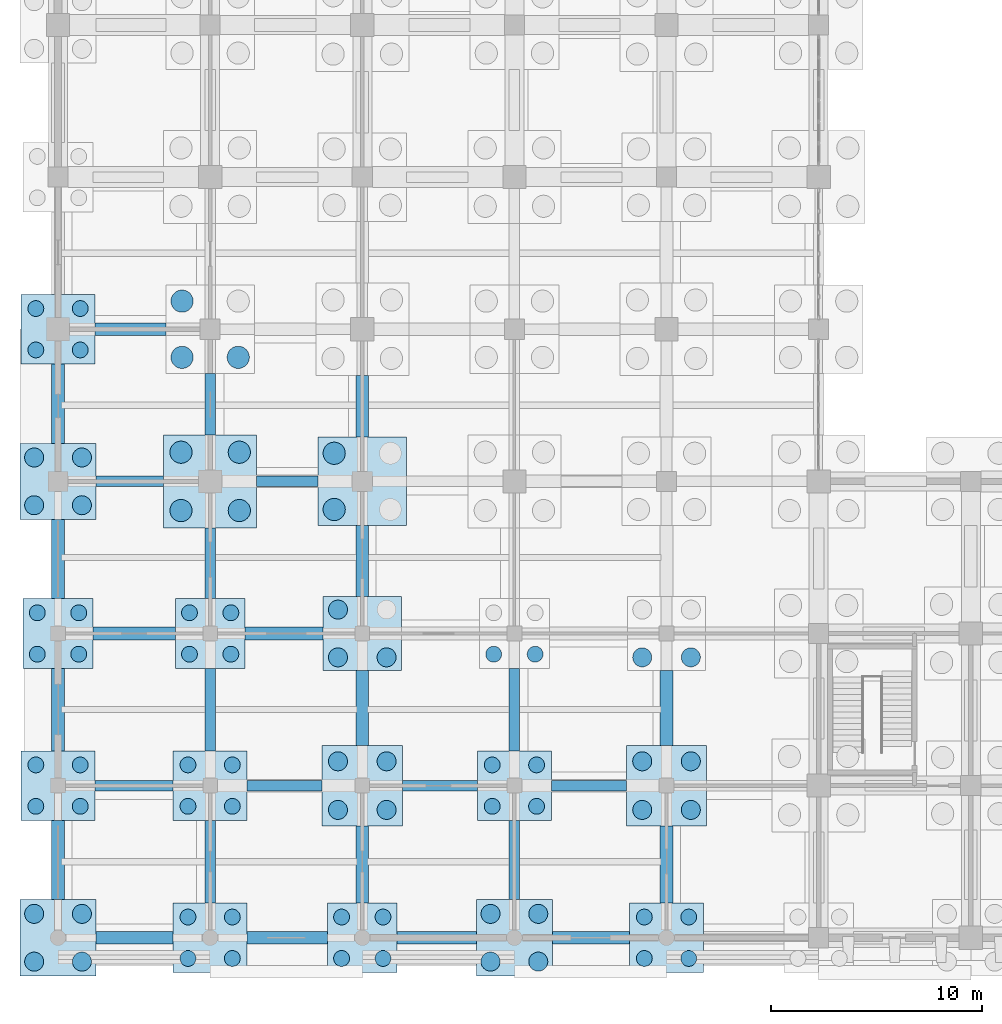
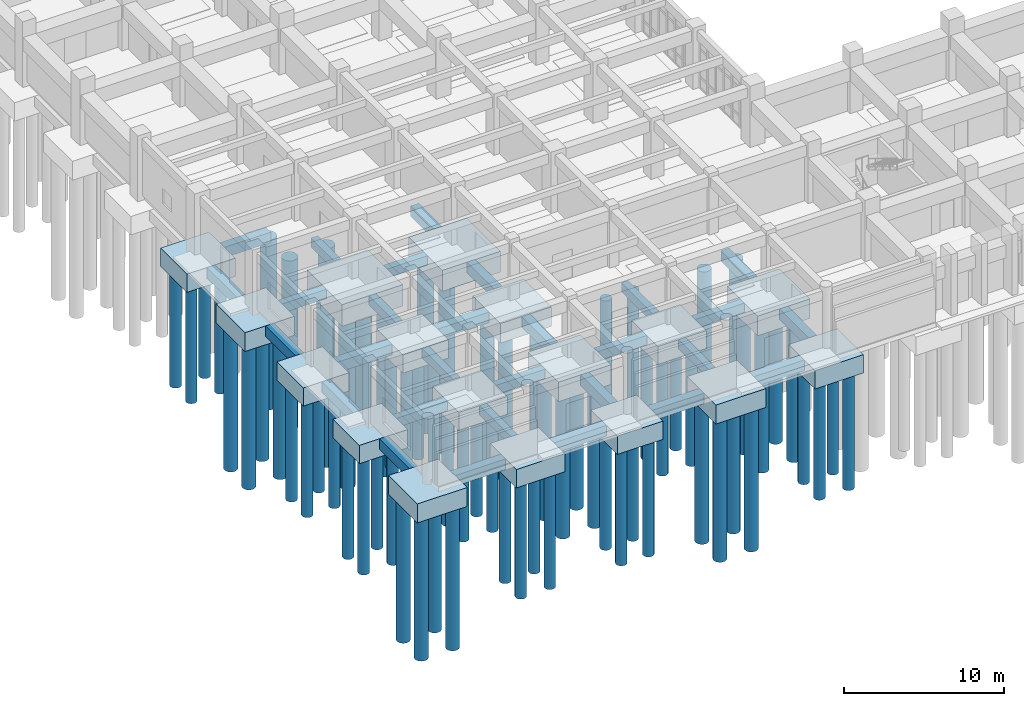
# One storey, part 1 of 79: 72 piles, 46 footings.
"""IFC4 building model written with IfcOpenShell, lengths in metres."""

from ifc_helpers import new_model, si_unit, direction, frame, origin, origin_2d, place, context, subcontext, project, spatial, polyline, rectangle, circle, outline, extrude, material, material_profile, profile_set, type_object, element, save


model = new_model("IFC4")

# Units and contexts
model_context = context("Model", 3, precision=1e-05, world=origin(), true_north=direction((0.0, 1.0)))
body_context = subcontext(model_context, "Body", "Model", "MODEL_VIEW")
ifc_project = project(units=[si_unit("LENGTHUNIT", "METRE"), si_unit("AREAUNIT", "SQUARE_METRE"), si_unit("VOLUMEUNIT", "CUBIC_METRE"), si_unit("PLANEANGLEUNIT", "RADIAN"), si_unit("MASSUNIT", "GRAM", prefix="KILO")], contexts=[model_context])

# Site, building, storey
site_placement = place(None, origin())
site = spatial("IfcSite", under=ifc_project, at=site_placement, CompositionType="ELEMENT")
building_placement = place(site_placement, origin())
building = spatial("IfcBuilding", under=site, at=building_placement, Name="Kavelor Marine Aquarium", CompositionType="ELEMENT")
storey_placement = place(building_placement, origin())
storey = spatial("IfcBuildingStorey", under=building, at=storey_placement, Name="L00", CompositionType="ELEMENT", Elevation=0.0)

# Footings
ifc_material_1 = material(Name="Concrete C40/50", Category="concrete")
footing_type_1 = type_object("IfcFootingType", Name="CAP-PC01", PredefinedType="PILE_CAP", material=ifc_material_1)
footing_1_placement = place(storey_placement, frame((0.0, 0.0, -2.0)))
element("IfcFooting", 1, at=footing_1_placement, inside=storey, type_object=footing_type_1, Name="Pile Cap PC01 (2-D)", PredefinedType="PILE_CAP", context=body_context, shape_type="SweptSolid", body=[
    extrude(outline(polyline([(8.199951171875, 22.199951171875), (12.60009765625, 22.199951171875), (12.60009765625, 26.60009765625), (8.199951171875, 26.60009765625), (8.199951171875, 22.199951171875)])), origin(), (0.0, 0.0, 1.0), 1.64990234375),
])
ifc_material_2 = material(Name="Concrete C40/50", Category="concrete")
footing_type_2 = type_object("IfcFootingType", Name="CAP-PC02", PredefinedType="PILE_CAP", material=ifc_material_2)
footing_2_placement = place(storey_placement, frame((0.0, 0.0, -1.949951171875)))
element("IfcFooting", 2, at=footing_2_placement, inside=storey, type_object=footing_type_2, Name="Pile Cap PC02 (3-D)", PredefinedType="PILE_CAP", context=body_context, shape_type="SweptSolid", body=[
    extrude(outline(polyline([(15.5, 22.300048828125), (19.699951171875, 22.300048828125), (19.699951171875, 26.5), (15.5, 26.5), (15.5, 22.300048828125)])), origin(), (0.0, 0.0, 1.0), 1.599853515625),
])
ifc_material_3 = material(Name="Concrete C40/50", Category="concrete")
footing_type_3 = type_object("IfcFootingType", Name="CAP-PC04", PredefinedType="PILE_CAP", material=ifc_material_3)
footing_3_placement = place(storey_placement, frame((0.0, 0.0, -1.85009765625)))
element("IfcFooting", 3, at=footing_3_placement, inside=storey, type_object=footing_type_3, Name="Pile Cap PC04 (3-B)", PredefinedType="PILE_CAP", context=body_context, shape_type="SweptSolid", body=[
    extrude(outline(polyline([(15.699951171875, 8.10009765625), (19.5, 8.10009765625), (19.5, 11.89990234375), (15.699951171875, 11.89990234375), (15.699951171875, 8.10009765625)])), origin(), (0.0, 0.0, 1.0), 1.5),
])
footing_4_placement = place(storey_placement, frame((0.0, 0.0, -1.85009765625)))
element("IfcFooting", 4, at=footing_4_placement, inside=storey, type_object=footing_type_3, Name="Pile Cap PC04 (5-B)", PredefinedType="PILE_CAP", context=body_context, shape_type="SweptSolid", body=[
    extrude(outline(polyline([(30.10009765625, 8.10009765625), (33.89990234375, 8.10009765625), (33.89990234375, 11.89990234375), (30.10009765625, 11.89990234375), (30.10009765625, 8.10009765625)])), origin(), (0.0, 0.0, 1.0), 1.5),
])
ifc_material_4 = material(Name="Concrete C40/50", Category="concrete")
footing_type_4 = type_object("IfcFootingType", Name="CAP-PC05", PredefinedType="PILE_CAP", material=ifc_material_4)
footing_5_placement = place(storey_placement, frame((0.0, 0.0, -1.85009765625)))
element("IfcFooting", 5, at=footing_5_placement, inside=storey, type_object=footing_type_4, Name="Pile Cap PC05 (3-C)", PredefinedType="PILE_CAP", context=body_context, shape_type="SweptSolid", body=[
    extrude(outline(polyline([(15.75, 15.449951171875), (19.449951171875, 15.449951171875), (19.449951171875, 18.949951171875), (15.75, 18.949951171875), (15.75, 15.449951171875)])), origin(), (0.0, 0.0, 1.0), 1.5),
])
ifc_material_5 = material(Name="Concrete C40/50", Category="concrete")
footing_type_5 = type_object("IfcFootingType", Name="CAP-PC06", PredefinedType="PILE_CAP", material=ifc_material_5)
footing_6_placement = place(storey_placement, frame((0.0, 0.0, -1.800048828125)))
element("IfcFooting", 6, at=footing_6_placement, inside=storey, type_object=footing_type_5, Name="Pile Cap PC06 (1-A)", PredefinedType="PILE_CAP", context=body_context, shape_type="SweptSolid", body=[
    extrude(outline(polyline([(1.39990234375, 1.0), (5.0, 1.0), (5.0, 4.60009765625), (1.39990234375, 4.60009765625), (1.39990234375, 1.0)])), origin(), (0.0, 0.0, 1.0), 1.449951171875),
])
footing_7_placement = place(storey_placement, frame((0.0, 0.0, -1.800048828125)))
element("IfcFooting", 7, at=footing_7_placement, inside=storey, type_object=footing_type_5, Name="Pile Cap PC06 (1-D)", PredefinedType="PILE_CAP", context=body_context, shape_type="SweptSolid", body=[
    extrude(outline(polyline([(1.39990234375, 22.60009765625), (5.0, 22.60009765625), (5.0, 26.199951171875), (1.39990234375, 26.199951171875), (1.39990234375, 22.60009765625)])), origin(), (0.0, 0.0, 1.0), 1.449951171875),
])
footing_8_placement = place(storey_placement, frame((0.0, 0.0, -1.800048828125)))
element("IfcFooting", 8, at=footing_8_placement, inside=storey, type_object=footing_type_5, Name="Pile Cap PC06 (4-A)", PredefinedType="PILE_CAP", context=body_context, shape_type="SweptSolid", body=[
    extrude(outline(polyline([(23.0, 1.0), (26.60009765625, 1.0), (26.60009765625, 4.60009765625), (23.0, 4.60009765625), (23.0, 1.0)])), origin(), (0.0, 0.0, 1.0), 1.449951171875),
])
ifc_material_6 = material(Name="Concrete C40/50", Category="concrete")
footing_type_6 = type_object("IfcFootingType", Name="CAP-PC07", PredefinedType="PILE_CAP", material=ifc_material_6)
footing_9_placement = place(storey_placement, frame((0.0, 0.0, -1.75)))
element("IfcFooting", 9, at=footing_9_placement, inside=storey, type_object=footing_type_6, Name="Pile Cap PC07 (1-B)", PredefinedType="PILE_CAP", context=body_context, shape_type="SweptSolid", body=[
    extrude(outline(polyline([(1.449951171875, 8.35009765625), (4.949951171875, 8.35009765625), (4.949951171875, 11.64990234375), (1.449951171875, 11.64990234375), (1.449951171875, 8.35009765625)])), origin(), (0.0, 0.0, 1.0), 1.39990234375),
])
footing_10_placement = place(storey_placement, frame((0.0, 0.0, -1.75)))
element("IfcFooting", 10, at=footing_10_placement, inside=storey, type_object=footing_type_6, Name="Pile Cap PC07 (1-E)", PredefinedType="PILE_CAP", context=body_context, shape_type="SweptSolid", body=[
    extrude(outline(polyline([(1.449951171875, 29.949951171875), (4.949951171875, 29.949951171875), (4.949951171875, 33.25), (1.449951171875, 33.25), (1.449951171875, 29.949951171875)])), origin(), (0.0, 0.0, 1.0), 1.39990234375),
])
footing_11_placement = place(storey_placement, frame((0.0, 0.0, -1.75)))
element("IfcFooting", 11, at=footing_11_placement, inside=storey, type_object=footing_type_6, Name="Pile Cap PC07 (2-A)", PredefinedType="PILE_CAP", context=body_context, shape_type="SweptSolid", body=[
    extrude(outline(polyline([(8.64990234375, 1.14990234375), (12.14990234375, 1.14990234375), (12.14990234375, 4.449951171875), (8.64990234375, 4.449951171875), (8.64990234375, 1.14990234375)])), origin(), (0.0, 0.0, 1.0), 1.39990234375),
])
footing_12_placement = place(storey_placement, frame((0.0, 0.0, -1.75)))
element("IfcFooting", 12, at=footing_12_placement, inside=storey, type_object=footing_type_6, Name="Pile Cap PC07 (2-B)", PredefinedType="PILE_CAP", context=body_context, shape_type="SweptSolid", body=[
    extrude(outline(polyline([(8.64990234375, 8.35009765625), (12.14990234375, 8.35009765625), (12.14990234375, 11.64990234375), (8.64990234375, 11.64990234375), (8.64990234375, 8.35009765625)])), origin(), (0.0, 0.0, 1.0), 1.39990234375),
])
footing_13_placement = place(storey_placement, frame((0.0, 0.0, -1.75)))
element("IfcFooting", 13, at=footing_13_placement, inside=storey, type_object=footing_type_6, Name="Pile Cap PC07 (4-B)", PredefinedType="PILE_CAP", context=body_context, shape_type="SweptSolid", body=[
    extrude(outline(polyline([(23.050048828125, 8.35009765625), (26.550048828125, 8.35009765625), (26.550048828125, 11.64990234375), (23.050048828125, 11.64990234375), (23.050048828125, 8.35009765625)])), origin(), (0.0, 0.0, 1.0), 1.39990234375),
])
footing_14_placement = place(storey_placement, frame((0.0, 0.0, -1.75)))
element("IfcFooting", 14, at=footing_14_placement, inside=storey, type_object=footing_type_6, Name="Pile Cap PC07 (5-A)", PredefinedType="PILE_CAP", context=body_context, shape_type="SweptSolid", body=[
    extrude(outline(polyline([(30.25, 1.14990234375), (33.75, 1.14990234375), (33.75, 4.449951171875), (30.25, 4.449951171875), (30.25, 1.14990234375)])), origin(), (0.0, 0.0, 1.0), 1.39990234375),
])
ifc_material_7 = material(Name="Concrete C40/50", Category="concrete")
footing_type_7 = type_object("IfcFootingType", Name="CAP-PC08", PredefinedType="PILE_CAP", material=ifc_material_7)
footing_15_placement = place(storey_placement, frame((0.0, 0.0, -1.75)))
element("IfcFooting", 15, at=footing_15_placement, inside=storey, type_object=footing_type_7, Name="Pile Cap PC08 (1-C)", PredefinedType="PILE_CAP", context=body_context, shape_type="SweptSolid", body=[
    extrude(outline(polyline([(1.550048828125, 15.550048828125), (4.85009765625, 15.550048828125), (4.85009765625, 18.85009765625), (1.550048828125, 18.85009765625), (1.550048828125, 15.550048828125)])), origin(), (0.0, 0.0, 1.0), 1.39990234375),
])
footing_16_placement = place(storey_placement, frame((0.0, 0.0, -1.75)))
element("IfcFooting", 16, at=footing_16_placement, inside=storey, type_object=footing_type_7, Name="Pile Cap PC08 (2-C)", PredefinedType="PILE_CAP", context=body_context, shape_type="SweptSolid", body=[
    extrude(outline(polyline([(8.75, 15.550048828125), (12.050048828125, 15.550048828125), (12.050048828125, 18.85009765625), (8.75, 18.85009765625), (8.75, 15.550048828125)])), origin(), (0.0, 0.0, 1.0), 1.39990234375),
])
footing_17_placement = place(storey_placement, frame((0.0, 0.0, -1.75)))
element("IfcFooting", 17, at=footing_17_placement, inside=storey, type_object=footing_type_7, Name="Pile Cap PC08 (3-A)", PredefinedType="PILE_CAP", context=body_context, shape_type="SweptSolid", body=[
    extrude(outline(polyline([(15.949951171875, 1.14990234375), (19.25, 1.14990234375), (19.25, 4.449951171875), (15.949951171875, 4.449951171875), (15.949951171875, 1.14990234375)])), origin(), (0.0, 0.0, 1.0), 1.39990234375),
])
ifc_material_8 = material(Name="Concrete C40/50", Category="concrete")
ifc_material_profile_1 = material_profile(ifc_material_8, rectangle(XDim=0.60009765625, YDim=0.800048828125, at=origin_2d()), Name="GB 600x800")
ifc_profile_set_1 = profile_set([ifc_material_profile_1], Name="Concrete C40/50")
footing_type_8 = type_object("IfcFootingType", Name="FTB-GB1", PredefinedType="FOOTING_BEAM", material=ifc_profile_set_1)
footing_18_placement = place(storey_placement, frame((5.0, 2.800048828125, -0.75), z_axis=(1.0, 0.0, 0.0), x_axis=(0.0, 1.0, 0.0)))
element("IfcFooting", 18, at=footing_18_placement, inside=storey, type_object=footing_type_8, Name="ftb:x:00_00", PredefinedType="FOOTING_BEAM", context=body_context, shape_type="SweptSolid", body=[
    extrude(rectangle(XDim=0.60009765625, YDim=0.800048828125, at=origin_2d()), origin(), (0.0, 0.0, 1.0), 3.64990234375),
])
footing_19_placement = place(storey_placement, frame((3.199951171875, 4.60009765625, -0.75), z_axis=(0.0, 1.0, 0.0), x_axis=(-1.0, 0.0, 0.0)))
element("IfcFooting", 19, at=footing_19_placement, inside=storey, type_object=footing_type_8, Name="ftb:y:00_00", PredefinedType="FOOTING_BEAM", context=body_context, shape_type="SweptSolid", body=[
    extrude(rectangle(XDim=0.60009765625, YDim=0.800048828125, at=origin_2d()), origin(), (0.0, 0.0, 1.0), 3.75),
])
footing_20_placement = place(storey_placement, frame((3.199951171875, 11.64990234375, -0.75), z_axis=(0.0, 1.0, 0.0), x_axis=(-1.0, 0.0, 0.0)))
element("IfcFooting", 20, at=footing_20_placement, inside=storey, type_object=footing_type_8, Name="ftb:y:00_01", PredefinedType="FOOTING_BEAM", context=body_context, shape_type="SweptSolid", body=[
    extrude(rectangle(XDim=0.60009765625, YDim=0.800048828125, at=origin_2d()), origin(), (0.0, 0.0, 1.0), 3.900146484375),
])
footing_21_placement = place(storey_placement, frame((4.85009765625, 17.199951171875, -0.75), z_axis=(1.0, 0.0, 0.0), x_axis=(0.0, 1.0, 0.0)))
element("IfcFooting", 21, at=footing_21_placement, inside=storey, type_object=footing_type_8, Name="ftb:x:00_02", PredefinedType="FOOTING_BEAM", context=body_context, shape_type="SweptSolid", body=[
    extrude(rectangle(XDim=0.60009765625, YDim=0.800048828125, at=origin_2d()), origin(), (0.0, 0.0, 1.0), 3.89990234375),
])
for number, where, z_axis, x_axis, name in (
    (22, (3.199951171875, 18.85009765625, -0.75), (0.0, 1.0, 0.0), (-1.0, 0.0, 0.0), "ftb:y:00_02"),
    (23, (3.199951171875, 26.199951171875, -0.75), (0.0, 1.0, 0.0), (-1.0, 0.0, 0.0), "ftb:y:00_03"),
):
    element("IfcFooting", number, at=place(storey_placement, frame(where, z_axis=z_axis, x_axis=x_axis)), inside=storey, type_object=footing_type_8, Name=name, PredefinedType="FOOTING_BEAM", context=body_context, shape_type="SweptSolid", body=[
        extrude(rectangle(XDim=0.60009765625, YDim=0.800048828125, at=origin_2d()), origin(), (0.0, 0.0, 1.0), 3.75),
    ])
footing_22_placement = place(storey_placement, frame((4.949951171875, 31.60009765625, -0.75), z_axis=(1.0, 0.0, 0.0), x_axis=(0.0, 1.0, 0.0)))
element("IfcFooting", 24, at=footing_22_placement, inside=storey, type_object=footing_type_8, Name="ftb:x:00_04", PredefinedType="FOOTING_BEAM", context=body_context, shape_type="SweptSolid", body=[
    extrude(rectangle(XDim=0.60009765625, YDim=0.800048828125, at=origin_2d()), origin(), (0.0, 0.0, 1.0), 3.35009765625),
])
footing_23_placement = place(storey_placement, frame((12.14990234375, 2.800048828125, -0.75), z_axis=(1.0, 0.0, 0.0), x_axis=(0.0, 1.0, 0.0)))
element("IfcFooting", 25, at=footing_23_placement, inside=storey, type_object=footing_type_8, Name="ftb:x:01_00", PredefinedType="FOOTING_BEAM", context=body_context, shape_type="SweptSolid", body=[
    extrude(rectangle(XDim=0.60009765625, YDim=0.800048828125, at=origin_2d()), origin(), (0.0, 0.0, 1.0), 3.800048828125),
])
footing_24_placement = place(storey_placement, frame((12.050048828125, 17.199951171875, -0.75), z_axis=(1.0, 0.0, 0.0), x_axis=(0.0, 1.0, 0.0)))
element("IfcFooting", 26, at=footing_24_placement, inside=storey, type_object=footing_type_8, Name="ftb:x:01_02", PredefinedType="FOOTING_BEAM", context=body_context, shape_type="SweptSolid", body=[
    extrude(rectangle(XDim=0.60009765625, YDim=0.800048828125, at=origin_2d()), origin(), (0.0, 0.0, 1.0), 3.699951171875),
])
footing_25_placement = place(storey_placement, frame((19.25, 2.800048828125, -0.75), z_axis=(1.0, 0.0, 0.0), x_axis=(0.0, 1.0, 0.0)))
element("IfcFooting", 27, at=footing_25_placement, inside=storey, type_object=footing_type_8, Name="ftb:x:02_00", PredefinedType="FOOTING_BEAM", context=body_context, shape_type="SweptSolid", body=[
    extrude(rectangle(XDim=0.60009765625, YDim=0.800048828125, at=origin_2d()), origin(), (0.0, 0.0, 1.0), 3.75),
])
footing_26_placement = place(storey_placement, frame((17.60009765625, 4.449951171875, -0.75), z_axis=(0.0, 1.0, 0.0), x_axis=(-1.0, 0.0, 0.0)))
element("IfcFooting", 28, at=footing_26_placement, inside=storey, type_object=footing_type_8, Name="ftb:y:02_00", PredefinedType="FOOTING_BEAM", context=body_context, shape_type="SweptSolid", body=[
    extrude(rectangle(XDim=0.60009765625, YDim=0.800048828125, at=origin_2d()), origin(), (0.0, 0.0, 1.0), 3.650146484375),
])
footing_27_placement = place(storey_placement, frame((17.60009765625, 11.89990234375, -0.75), z_axis=(0.0, 1.0, 0.0), x_axis=(-1.0, 0.0, 0.0)))
element("IfcFooting", 29, at=footing_27_placement, inside=storey, type_object=footing_type_8, Name="ftb:y:02_01", PredefinedType="FOOTING_BEAM", context=body_context, shape_type="SweptSolid", body=[
    extrude(rectangle(XDim=0.60009765625, YDim=0.800048828125, at=origin_2d()), origin(), (0.0, 0.0, 1.0), 3.550048828125),
])
footing_28_placement = place(storey_placement, frame((17.60009765625, 18.949951171875, -0.75), z_axis=(0.0, 1.0, 0.0), x_axis=(-1.0, 0.0, 0.0)))
element("IfcFooting", 30, at=footing_28_placement, inside=storey, type_object=footing_type_8, Name="ftb:y:02_02", PredefinedType="FOOTING_BEAM", context=body_context, shape_type="SweptSolid", body=[
    extrude(rectangle(XDim=0.60009765625, YDim=0.800048828125, at=origin_2d()), origin(), (0.0, 0.0, 1.0), 3.35009765625),
])
footing_29_placement = place(storey_placement, frame((17.60009765625, 26.5, -0.75), z_axis=(0.0, 1.0, 0.0), x_axis=(-1.0, 0.0, 0.0)))
element("IfcFooting", 31, at=footing_29_placement, inside=storey, type_object=footing_type_8, Name="ftb:y:02_03", PredefinedType="FOOTING_BEAM", context=body_context, shape_type="SweptSolid", body=[
    extrude(rectangle(XDim=0.60009765625, YDim=0.800048828125, at=origin_2d()), origin(), (0.0, 0.0, 1.0), 2.89990234375),
])
footing_30_placement = place(storey_placement, frame((26.60009765625, 2.800048828125, -0.75), z_axis=(1.0, 0.0, 0.0), x_axis=(0.0, 1.0, 0.0)))
element("IfcFooting", 32, at=footing_30_placement, inside=storey, type_object=footing_type_8, Name="ftb:x:03_00", PredefinedType="FOOTING_BEAM", context=body_context, shape_type="SweptSolid", body=[
    extrude(rectangle(XDim=0.60009765625, YDim=0.800048828125, at=origin_2d()), origin(), (0.0, 0.0, 1.0), 3.64990234375),
])
footing_31_placement = place(storey_placement, frame((32.0, 4.449951171875, -0.75), z_axis=(0.0, 1.0, 0.0), x_axis=(-1.0, 0.0, 0.0)))
element("IfcFooting", 33, at=footing_31_placement, inside=storey, type_object=footing_type_8, Name="ftb:y:04_00", PredefinedType="FOOTING_BEAM", context=body_context, shape_type="SweptSolid", body=[
    extrude(rectangle(XDim=0.60009765625, YDim=0.800048828125, at=origin_2d()), origin(), (0.0, 0.0, 1.0), 3.650146484375),
])
footing_32_placement = place(storey_placement, frame((32.0, 11.89990234375, -0.75), z_axis=(0.0, 1.0, 0.0), x_axis=(-1.0, 0.0, 0.0)))
element("IfcFooting", 34, at=footing_32_placement, inside=storey, type_object=footing_type_8, Name="ftb:y:04_01", PredefinedType="FOOTING_BEAM", context=body_context, shape_type="SweptSolid", body=[
    extrude(rectangle(XDim=0.60009765625, YDim=0.800048828125, at=origin_2d()), origin(), (0.0, 0.0, 1.0), 3.550048828125),
])
ifc_material_9 = material(Name="Concrete C40/50", Category="concrete")
ifc_material_profile_2 = material_profile(ifc_material_9, rectangle(XDim=0.5, YDim=0.699951171875, at=origin_2d()), Name="GB 500x700")
ifc_profile_set_2 = profile_set([ifc_material_profile_2], Name="Concrete C40/50")
footing_type_9 = type_object("IfcFootingType", Name="FTB-GB2", PredefinedType="FOOTING_BEAM", material=ifc_profile_set_2)
footing_33_placement = place(storey_placement, frame((4.949951171875, 10.0, -0.699951171875), z_axis=(1.0, 0.0, 0.0), x_axis=(0.0, 1.0, 0.0)))
element("IfcFooting", 35, at=footing_33_placement, inside=storey, type_object=footing_type_9, Name="ftb:x:00_01", PredefinedType="FOOTING_BEAM", context=body_context, shape_type="SweptSolid", body=[
    extrude(rectangle(XDim=0.5, YDim=0.699951171875, at=origin_2d()), origin(), (0.0, 0.0, 1.0), 3.699951171875),
])
footing_34_placement = place(storey_placement, frame((5.0, 24.39990234375, -0.699951171875), z_axis=(1.0, 0.0, 0.0), x_axis=(0.0, 1.0, 0.0)))
element("IfcFooting", 36, at=footing_34_placement, inside=storey, type_object=footing_type_9, Name="ftb:x:00_03", PredefinedType="FOOTING_BEAM", context=body_context, shape_type="SweptSolid", body=[
    extrude(rectangle(XDim=0.5, YDim=0.699951171875, at=origin_2d()), origin(), (0.0, 0.0, 1.0), 3.199951171875),
])
footing_35_placement = place(storey_placement, frame((10.39990234375, 4.449951171875, -0.699951171875), z_axis=(0.0, 1.0, 0.0), x_axis=(-1.0, 0.0, 0.0)))
element("IfcFooting", 37, at=footing_35_placement, inside=storey, type_object=footing_type_9, Name="ftb:y:01_00", PredefinedType="FOOTING_BEAM", context=body_context, shape_type="SweptSolid", body=[
    extrude(rectangle(XDim=0.5, YDim=0.699951171875, at=origin_2d()), origin(), (0.0, 0.0, 1.0), 3.900146484375),
])
footing_36_placement = place(storey_placement, frame((12.14990234375, 10.0, -0.699951171875), z_axis=(1.0, 0.0, 0.0), x_axis=(0.0, 1.0, 0.0)))
element("IfcFooting", 38, at=footing_36_placement, inside=storey, type_object=footing_type_9, Name="ftb:x:01_01", PredefinedType="FOOTING_BEAM", context=body_context, shape_type="SweptSolid", body=[
    extrude(rectangle(XDim=0.5, YDim=0.699951171875, at=origin_2d()), origin(), (0.0, 0.0, 1.0), 3.550048828125),
])
footing_37_placement = place(storey_placement, frame((10.39990234375, 11.64990234375, -0.699951171875), z_axis=(0.0, 1.0, 0.0), x_axis=(-1.0, 0.0, 0.0)))
element("IfcFooting", 39, at=footing_37_placement, inside=storey, type_object=footing_type_9, Name="ftb:y:01_01", PredefinedType="FOOTING_BEAM", context=body_context, shape_type="SweptSolid", body=[
    extrude(rectangle(XDim=0.5, YDim=0.699951171875, at=origin_2d()), origin(), (0.0, 0.0, 1.0), 3.900146484375),
])
footing_38_placement = place(storey_placement, frame((10.39990234375, 18.85009765625, -0.699951171875), z_axis=(0.0, 1.0, 0.0), x_axis=(-1.0, 0.0, 0.0)))
element("IfcFooting", 40, at=footing_38_placement, inside=storey, type_object=footing_type_9, Name="ftb:y:01_02", PredefinedType="FOOTING_BEAM", context=body_context, shape_type="SweptSolid", body=[
    extrude(rectangle(XDim=0.5, YDim=0.699951171875, at=origin_2d()), origin(), (0.0, 0.0, 1.0), 3.349853515625),
])
for number, where, z_axis, x_axis, name in (
    (41, (12.60009765625, 24.39990234375, -0.699951171875), (1.0, 0.0, 0.0), (0.0, 1.0, 0.0), "ftb:x:01_03"),
    (42, (10.39990234375, 26.60009765625, -0.699951171875), (0.0, 1.0, 0.0), (-1.0, 0.0, 0.0), "ftb:y:01_03"),
):
    element("IfcFooting", number, at=place(storey_placement, frame(where, z_axis=z_axis, x_axis=x_axis)), inside=storey, type_object=footing_type_9, Name=name, PredefinedType="FOOTING_BEAM", context=body_context, shape_type="SweptSolid", body=[
        extrude(rectangle(XDim=0.5, YDim=0.699951171875, at=origin_2d()), origin(), (0.0, 0.0, 1.0), 2.89990234375),
    ])
footing_39_placement = place(storey_placement, frame((19.5, 10.0, -0.699951171875), z_axis=(1.0, 0.0, 0.0), x_axis=(0.0, 1.0, 0.0)))
element("IfcFooting", 43, at=footing_39_placement, inside=storey, type_object=footing_type_9, Name="ftb:x:02_01", PredefinedType="FOOTING_BEAM", context=body_context, shape_type="SweptSolid", body=[
    extrude(rectangle(XDim=0.5, YDim=0.699951171875, at=origin_2d()), origin(), (0.0, 0.0, 1.0), 3.550048828125),
])
footing_40_placement = place(storey_placement, frame((24.800048828125, 4.60009765625, -0.699951171875), z_axis=(0.0, 1.0, 0.0), x_axis=(-1.0, 0.0, 0.0)))
element("IfcFooting", 44, at=footing_40_placement, inside=storey, type_object=footing_type_9, Name="ftb:y:03_00", PredefinedType="FOOTING_BEAM", context=body_context, shape_type="SweptSolid", body=[
    extrude(rectangle(XDim=0.5, YDim=0.699951171875, at=origin_2d()), origin(), (0.0, 0.0, 1.0), 3.75),
])
footing_41_placement = place(storey_placement, frame((26.550048828125, 10.0, -0.699951171875), z_axis=(1.0, 0.0, 0.0), x_axis=(0.0, 1.0, 0.0)))
element("IfcFooting", 45, at=footing_41_placement, inside=storey, type_object=footing_type_9, Name="ftb:x:03_01", PredefinedType="FOOTING_BEAM", context=body_context, shape_type="SweptSolid", body=[
    extrude(rectangle(XDim=0.5, YDim=0.699951171875, at=origin_2d()), origin(), (0.0, 0.0, 1.0), 3.550048828125),
])
footing_42_placement = place(storey_placement, frame((24.800048828125, 11.64990234375, -0.699951171875), z_axis=(0.0, 1.0, 0.0), x_axis=(-1.0, 0.0, 0.0)))
element("IfcFooting", 46, at=footing_42_placement, inside=storey, type_object=footing_type_9, Name="ftb:y:03_01", PredefinedType="FOOTING_BEAM", context=body_context, shape_type="SweptSolid", body=[
    extrude(rectangle(XDim=0.5, YDim=0.699951171875, at=origin_2d()), origin(), (0.0, 0.0, 1.0), 3.900146484375),
])

# Piles
ifc_material_10 = material(Name="Concrete C40/50", Category="concrete")
ifc_material_profile_3 = material_profile(ifc_material_10, circle(Radius=0.52490234375, at=origin_2d()), Name="PILE D1050")
ifc_profile_set_3 = profile_set([ifc_material_profile_3], Name="Concrete C40/50")
pile_type_1 = type_object("IfcPileType", Name="PILE-P1", PredefinedType="BORED", material=ifc_profile_set_3)
for number, where, z_axis, x_axis, name in (
    (47, (9.02001953125, 23.02001953125, -1.89990234375), (0.0, 0.0, -1.0), (1.0, 0.0, 0.0), "Bored Pile P1 (2-D-1)"),
    (48, (11.780029296875, 23.02001953125, -1.89990234375), (0.0, 0.0, -1.0), (1.0, 0.0, 0.0), "Bored Pile P1 (2-D-2)"),
    (49, (9.02001953125, 25.780029296875, -1.89990234375), (0.0, 0.0, -1.0), (1.0, 0.0, 0.0), "Bored Pile P1 (2-D-3)"),
    (50, (11.780029296875, 25.780029296875, -1.89990234375), (0.0, 0.0, -1.0), (1.0, 0.0, 0.0), "Bored Pile P1 (2-D-4)"),
    (51, (9.070068359375, 30.27001953125, -1.85009765625), (0.0, 0.0, -1.0), (1.0, 0.0, 0.0), "Bored Pile P1 (2-E-1)"),
    (52, (11.72998046875, 30.27001953125, -1.85009765625), (0.0, 0.0, -1.0), (1.0, 0.0, 0.0), "Bored Pile P1 (2-E-2)"),
    (53, (9.070068359375, 32.929931640625, -1.85009765625), (0.0, 0.0, -1.0), (1.0, 0.0, 0.0), "Bored Pile P1 (2-E-3)"),
    (54, (16.27001953125, 23.070068359375, -1.85009765625), (0.0, 0.0, -1.0), (1.0, 0.0, 0.0), "Bored Pile P1 (3-D-1)"),
    (55, (16.27001953125, 25.72998046875, -1.85009765625), (0.0, 0.0, -1.0), (1.0, 0.0, 0.0), "Bored Pile P1 (3-D-3)"),
):
    element("IfcPile", number, at=place(storey_placement, frame(where, z_axis=z_axis, x_axis=x_axis)), inside=storey, type_object=pile_type_1, Name=name, PredefinedType="BORED", context=body_context, shape_type="SweptSolid", body=[
        extrude(circle(Radius=0.52490234375, at=origin_2d()), origin(), (0.0, 0.0, 1.0), 13.0),
    ])
ifc_material_11 = material(Name="Concrete C40/50", Category="concrete")
ifc_material_profile_4 = material_profile(ifc_material_11, circle(Radius=0.449951171875, at=origin_2d()), Name="PILE D900")
ifc_profile_set_4 = profile_set([ifc_material_profile_4], Name="Concrete C40/50")
pile_type_2 = type_object("IfcPileType", Name="PILE-P2", PredefinedType="BORED", material=ifc_profile_set_4)
for number, where, z_axis, x_axis, name in (
    (56, (2.070068359375, 1.669921875, -1.699951171875), (0.0, 0.0, -1.0), (1.0, 0.0, 0.0), "Bored Pile P2 (1-A-1)"),
    (57, (4.330078125, 1.669921875, -1.699951171875), (0.0, 0.0, -1.0), (1.0, 0.0, 0.0), "Bored Pile P2 (1-A-2)"),
    (58, (2.070068359375, 3.929931640625, -1.699951171875), (0.0, 0.0, -1.0), (1.0, 0.0, 0.0), "Bored Pile P2 (1-A-3)"),
    (59, (4.330078125, 3.929931640625, -1.699951171875), (0.0, 0.0, -1.0), (1.0, 0.0, 0.0), "Bored Pile P2 (1-A-4)"),
    (60, (2.070068359375, 23.27001953125, -1.699951171875), (0.0, 0.0, -1.0), (1.0, 0.0, 0.0), "Bored Pile P2 (1-D-1)"),
    (61, (4.330078125, 23.27001953125, -1.699951171875), (0.0, 0.0, -1.0), (1.0, 0.0, 0.0), "Bored Pile P2 (1-D-2)"),
    (62, (2.070068359375, 25.530029296875, -1.699951171875), (0.0, 0.0, -1.0), (1.0, 0.0, 0.0), "Bored Pile P2 (1-D-3)"),
    (63, (4.330078125, 25.530029296875, -1.699951171875), (0.0, 0.0, -1.0), (1.0, 0.0, 0.0), "Bored Pile P2 (1-D-4)"),
    (64, (16.449951171875, 8.85009765625, -1.75), (0.0, 0.0, -1.0), (1.0, 0.0, 0.0), "Bored Pile P2 (3-B-1)"),
    (65, (18.75, 8.85009765625, -1.75), (0.0, 0.0, -1.0), (1.0, 0.0, 0.0), "Bored Pile P2 (3-B-2)"),
    (66, (16.449951171875, 11.14990234375, -1.75), (0.0, 0.0, -1.0), (1.0, 0.0, 0.0), "Bored Pile P2 (3-B-3)"),
    (67, (18.75, 11.14990234375, -1.75), (0.0, 0.0, -1.0), (1.0, 0.0, 0.0), "Bored Pile P2 (3-B-4)"),
    (68, (16.449951171875, 16.070068359375, -1.75), (0.0, 0.0, -1.0), (1.0, 0.0, 0.0), "Bored Pile P2 (3-C-1)"),
    (69, (18.75, 16.070068359375, -1.75), (0.0, 0.0, -1.0), (1.0, 0.0, 0.0), "Bored Pile P2 (3-C-2)"),
    (70, (16.449951171875, 18.330078125, -1.75), (0.0, 0.0, -1.0), (1.0, 0.0, 0.0), "Bored Pile P2 (3-C-3)"),
    (71, (23.669921875, 1.669921875, -1.699951171875), (0.0, 0.0, -1.0), (1.0, 0.0, 0.0), "Bored Pile P2 (4-A-1)"),
    (72, (25.929931640625, 1.669921875, -1.699951171875), (0.0, 0.0, -1.0), (1.0, 0.0, 0.0), "Bored Pile P2 (4-A-2)"),
    (73, (23.669921875, 3.929931640625, -1.699951171875), (0.0, 0.0, -1.0), (1.0, 0.0, 0.0), "Bored Pile P2 (4-A-3)"),
    (74, (25.929931640625, 3.929931640625, -1.699951171875), (0.0, 0.0, -1.0), (1.0, 0.0, 0.0), "Bored Pile P2 (4-A-4)"),
    (75, (30.85009765625, 8.85009765625, -1.75), (0.0, 0.0, -1.0), (1.0, 0.0, 0.0), "Bored Pile P2 (5-B-1)"),
    (76, (33.14990234375, 8.85009765625, -1.75), (0.0, 0.0, -1.0), (1.0, 0.0, 0.0), "Bored Pile P2 (5-B-2)"),
    (77, (30.85009765625, 11.14990234375, -1.75), (0.0, 0.0, -1.0), (1.0, 0.0, 0.0), "Bored Pile P2 (5-B-3)"),
    (78, (33.14990234375, 11.14990234375, -1.75), (0.0, 0.0, -1.0), (1.0, 0.0, 0.0), "Bored Pile P2 (5-B-4)"),
    (79, (30.85009765625, 16.070068359375, -1.75), (0.0, 0.0, -1.0), (1.0, 0.0, 0.0), "Bored Pile P2 (5-C-1)"),
    (80, (33.14990234375, 16.070068359375, -1.75), (0.0, 0.0, -1.0), (1.0, 0.0, 0.0), "Bored Pile P2 (5-C-2)"),
):
    element("IfcPile", number, at=place(storey_placement, frame(where, z_axis=z_axis, x_axis=x_axis)), inside=storey, type_object=pile_type_2, Name=name, PredefinedType="BORED", context=body_context, shape_type="SweptSolid", body=[
        extrude(circle(Radius=0.449951171875, at=origin_2d()), origin(), (0.0, 0.0, 1.0), 11.0),
    ])
ifc_material_12 = material(Name="Concrete C40/50", Category="concrete")
ifc_material_profile_5 = material_profile(ifc_material_12, circle(Radius=0.375, at=origin_2d()), Name="PILE D750")
ifc_profile_set_5 = profile_set([ifc_material_profile_5], Name="Concrete C40/50")
pile_type_3 = type_object("IfcPileType", Name="PILE-P3", PredefinedType="BORED", material=ifc_profile_set_5)
for number, where, z_axis, x_axis, name in (
    (81, (2.14990234375, 9.02001953125, -1.64990234375), (0.0, 0.0, -1.0), (1.0, 0.0, 0.0), "Bored Pile P3 (1-B-1)"),
    (82, (4.25, 9.02001953125, -1.64990234375), (0.0, 0.0, -1.0), (1.0, 0.0, 0.0), "Bored Pile P3 (1-B-2)"),
    (83, (2.14990234375, 10.97998046875, -1.64990234375), (0.0, 0.0, -1.0), (1.0, 0.0, 0.0), "Bored Pile P3 (1-B-3)"),
    (84, (4.25, 10.97998046875, -1.64990234375), (0.0, 0.0, -1.0), (1.0, 0.0, 0.0), "Bored Pile P3 (1-B-4)"),
    (85, (2.219970703125, 16.219970703125, -1.64990234375), (0.0, 0.0, -1.0), (1.0, 0.0, 0.0), "Bored Pile P3 (1-C-1)"),
    (86, (4.179931640625, 16.219970703125, -1.64990234375), (0.0, 0.0, -1.0), (1.0, 0.0, 0.0), "Bored Pile P3 (1-C-2)"),
    (87, (2.219970703125, 18.179931640625, -1.64990234375), (0.0, 0.0, -1.0), (1.0, 0.0, 0.0), "Bored Pile P3 (1-C-3)"),
    (88, (4.179931640625, 18.179931640625, -1.64990234375), (0.0, 0.0, -1.0), (1.0, 0.0, 0.0), "Bored Pile P3 (1-C-4)"),
    (89, (2.14990234375, 30.6201171875, -1.64990234375), (0.0, 0.0, -1.0), (1.0, 0.0, 0.0), "Bored Pile P3 (1-E-1)"),
    (90, (4.25, 30.6201171875, -1.64990234375), (0.0, 0.0, -1.0), (1.0, 0.0, 0.0), "Bored Pile P3 (1-E-2)"),
    (91, (2.14990234375, 32.580078125, -1.64990234375), (0.0, 0.0, -1.0), (1.0, 0.0, 0.0), "Bored Pile P3 (1-E-3)"),
    (92, (4.25, 32.580078125, -1.64990234375), (0.0, 0.0, -1.0), (1.0, 0.0, 0.0), "Bored Pile P3 (1-E-4)"),
    (93, (9.35009765625, 1.820068359375, -1.64990234375), (0.0, 0.0, -1.0), (1.0, 0.0, 0.0), "Bored Pile P3 (2-A-1)"),
    (94, (11.449951171875, 1.820068359375, -1.64990234375), (0.0, 0.0, -1.0), (1.0, 0.0, 0.0), "Bored Pile P3 (2-A-2)"),
    (95, (9.35009765625, 3.780029296875, -1.64990234375), (0.0, 0.0, -1.0), (1.0, 0.0, 0.0), "Bored Pile P3 (2-A-3)"),
    (96, (11.449951171875, 3.780029296875, -1.64990234375), (0.0, 0.0, -1.0), (1.0, 0.0, 0.0), "Bored Pile P3 (2-A-4)"),
    (97, (9.35009765625, 9.02001953125, -1.64990234375), (0.0, 0.0, -1.0), (1.0, 0.0, 0.0), "Bored Pile P3 (2-B-1)"),
    (98, (11.449951171875, 9.02001953125, -1.64990234375), (0.0, 0.0, -1.0), (1.0, 0.0, 0.0), "Bored Pile P3 (2-B-2)"),
    (99, (9.35009765625, 10.97998046875, -1.64990234375), (0.0, 0.0, -1.0), (1.0, 0.0, 0.0), "Bored Pile P3 (2-B-3)"),
    (100, (11.449951171875, 10.97998046875, -1.64990234375), (0.0, 0.0, -1.0), (1.0, 0.0, 0.0), "Bored Pile P3 (2-B-4)"),
    (101, (9.419921875, 16.219970703125, -1.64990234375), (0.0, 0.0, -1.0), (1.0, 0.0, 0.0), "Bored Pile P3 (2-C-1)"),
    (102, (11.3798828125, 16.219970703125, -1.64990234375), (0.0, 0.0, -1.0), (1.0, 0.0, 0.0), "Bored Pile P3 (2-C-2)"),
    (103, (9.419921875, 18.179931640625, -1.64990234375), (0.0, 0.0, -1.0), (1.0, 0.0, 0.0), "Bored Pile P3 (2-C-3)"),
    (104, (11.3798828125, 18.179931640625, -1.64990234375), (0.0, 0.0, -1.0), (1.0, 0.0, 0.0), "Bored Pile P3 (2-C-4)"),
    (105, (16.6201171875, 1.820068359375, -1.64990234375), (0.0, 0.0, -1.0), (1.0, 0.0, 0.0), "Bored Pile P3 (3-A-1)"),
    (106, (18.580078125, 1.820068359375, -1.64990234375), (0.0, 0.0, -1.0), (1.0, 0.0, 0.0), "Bored Pile P3 (3-A-2)"),
    (107, (16.6201171875, 3.780029296875, -1.64990234375), (0.0, 0.0, -1.0), (1.0, 0.0, 0.0), "Bored Pile P3 (3-A-3)"),
    (108, (18.580078125, 3.780029296875, -1.64990234375), (0.0, 0.0, -1.0), (1.0, 0.0, 0.0), "Bored Pile P3 (3-A-4)"),
    (109, (23.75, 9.02001953125, -1.64990234375), (0.0, 0.0, -1.0), (1.0, 0.0, 0.0), "Bored Pile P3 (4-B-1)"),
    (110, (25.85009765625, 9.02001953125, -1.64990234375), (0.0, 0.0, -1.0), (1.0, 0.0, 0.0), "Bored Pile P3 (4-B-2)"),
    (111, (23.75, 10.97998046875, -1.64990234375), (0.0, 0.0, -1.0), (1.0, 0.0, 0.0), "Bored Pile P3 (4-B-3)"),
    (112, (25.85009765625, 10.97998046875, -1.64990234375), (0.0, 0.0, -1.0), (1.0, 0.0, 0.0), "Bored Pile P3 (4-B-4)"),
    (113, (23.820068359375, 16.219970703125, -1.64990234375), (0.0, 0.0, -1.0), (1.0, 0.0, 0.0), "Bored Pile P3 (4-C-1)"),
    (114, (25.780029296875, 16.219970703125, -1.64990234375), (0.0, 0.0, -1.0), (1.0, 0.0, 0.0), "Bored Pile P3 (4-C-2)"),
    (115, (30.949951171875, 1.820068359375, -1.64990234375), (0.0, 0.0, -1.0), (1.0, 0.0, 0.0), "Bored Pile P3 (5-A-1)"),
    (116, (33.050048828125, 1.820068359375, -1.64990234375), (0.0, 0.0, -1.0), (1.0, 0.0, 0.0), "Bored Pile P3 (5-A-2)"),
    (117, (30.949951171875, 3.780029296875, -1.64990234375), (0.0, 0.0, -1.0), (1.0, 0.0, 0.0), "Bored Pile P3 (5-A-3)"),
    (118, (33.050048828125, 3.780029296875, -1.64990234375), (0.0, 0.0, -1.0), (1.0, 0.0, 0.0), "Bored Pile P3 (5-A-4)"),
):
    element("IfcPile", number, at=place(storey_placement, frame(where, z_axis=z_axis, x_axis=x_axis)), inside=storey, type_object=pile_type_3, Name=name, PredefinedType="BORED", context=body_context, shape_type="SweptSolid", body=[
        extrude(circle(Radius=0.375, at=origin_2d()), origin(), (0.0, 0.0, 1.0), 9.0),
    ])

save(model, "model.ifc")
